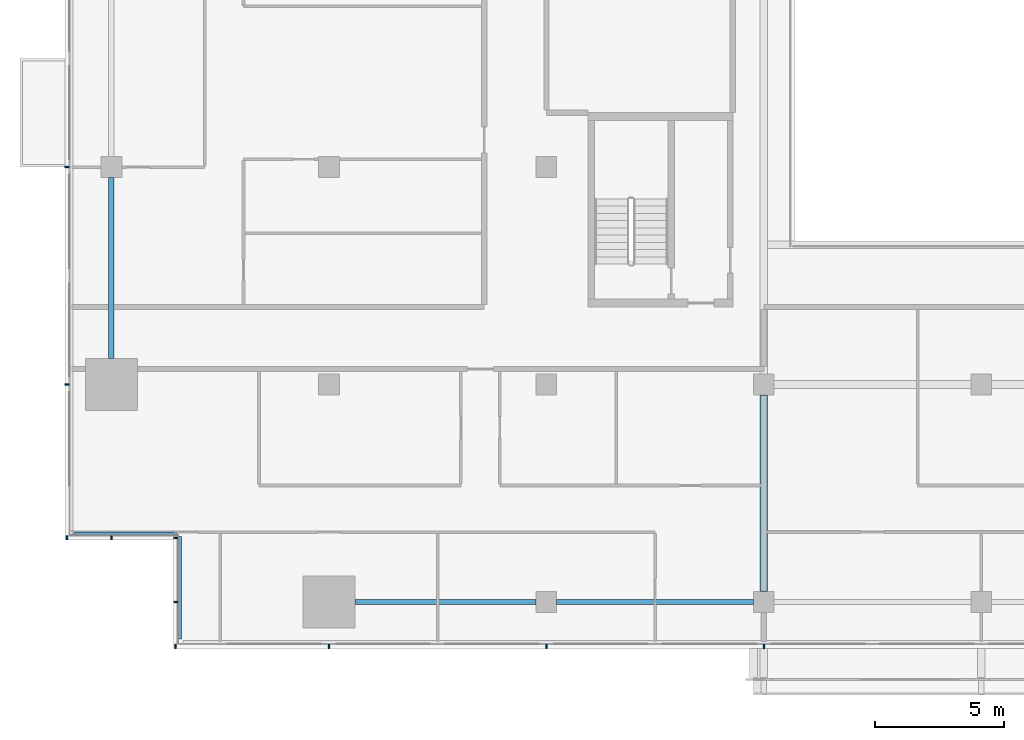
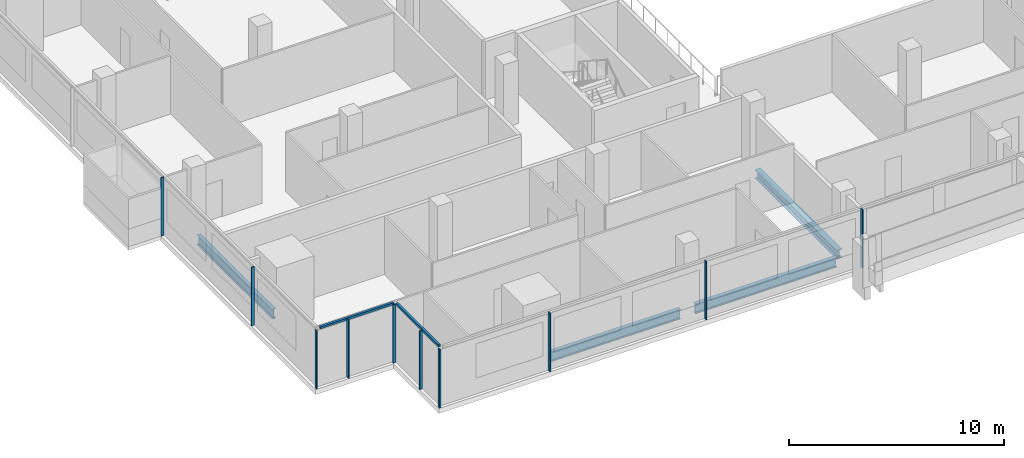
# One storey, part 2 of 26: 12 members, 4 beams, 4 elements without a shape of their own.
"""IFC4 building model written with IfcOpenShell, lengths in metres."""

from ifc_helpers import new_model, si_unit, direction, frame, origin, origin_2d, place, context, subcontext, project, spatial, rectangle, i_section, extrude, material, material_profile, profile_set, type_object, element, aggregate, save


model = new_model("IFC4")

# Units and contexts
model_context = context("Model", 3, precision=1e-05, world=origin(), true_north=direction((0.0, 1.0)))
body_context = subcontext(model_context, "Body", "Model", "MODEL_VIEW")
ifc_project = project(units=[si_unit("LENGTHUNIT", "METRE"), si_unit("AREAUNIT", "SQUARE_METRE"), si_unit("VOLUMEUNIT", "CUBIC_METRE"), si_unit("PLANEANGLEUNIT", "RADIAN"), si_unit("MASSUNIT", "GRAM", prefix="KILO")], contexts=[model_context])

# Site, building, storey
site_placement = place(None, origin())
site = spatial("IfcSite", under=ifc_project, at=site_placement, CompositionType="ELEMENT")
building_placement = place(site_placement, origin())
building = spatial("IfcBuilding", under=site, at=building_placement, Name="Saffron Gate Tower", CompositionType="ELEMENT")
storey_placement = place(building_placement, frame((0.0, 0.0, 120.449951171875)))
storey = spatial("IfcBuildingStorey", under=building, at=storey_placement, Name="L28", CompositionType="ELEMENT", Elevation=120.449951171875)

# Beams
ifc_material_1 = material(Name="Structural steel S355", Category="steel")
ifc_material_profile_1 = material_profile(ifc_material_1, i_section(OverallWidth=0.2099609375, OverallDepth=0.550048828125, WebThickness=0.010986328125, FlangeThickness=0.01708984375, FilletRadius=0.02392578125, at=origin_2d()))
ifc_profile_set_1 = profile_set([ifc_material_profile_1], Name="Structural steel S355")
beam_type_1 = type_object("IfcBeamType", Name="B13 IPE 550", PredefinedType="SPANDREL", material=ifc_profile_set_1)
for number, where, z_axis, x_axis, name in (
    (1, (49.800048828125, 41.199951171875, -0.554931640625), (0.0, 1.0, 0.0), (-1.0, 0.0, 0.0), "B13 SPANDREL BEAM"),
    (2, (59.199951171875, 31.800048828125, -0.554931640625), (1.0, 0.0, 0.0), (0.0, 1.0, 0.0), "B13 SPANDREL BEAM"),
):
    element("IfcBeam", number, at=place(storey_placement, frame(where, z_axis=z_axis, x_axis=x_axis)), inside=storey, type_object=beam_type_1, Name=name, PredefinedType="SPANDREL", context=body_context, shape_type="SweptSolid", body=[
        extrude(i_section(OverallWidth=0.2099609375, OverallDepth=0.550048828125, WebThickness=0.010986328125, FlangeThickness=0.01708984375, FilletRadius=0.02392578125, at=origin_2d()), origin(), (0.0, 0.0, 1.0), 7.0),
    ])
beam_1_placement = place(storey_placement, frame((67.0, 31.800048828125, -0.554931640625), z_axis=(1.0, 0.0, 0.0), x_axis=(0.0, 1.0, 0.0)))
element("IfcBeam", 3, at=beam_1_placement, inside=storey, type_object=beam_type_1, Name="B13 SPANDREL BEAM", PredefinedType="SPANDREL", context=body_context, shape_type="SweptSolid", body=[
    extrude(i_section(OverallWidth=0.2099609375, OverallDepth=0.550048828125, WebThickness=0.010986328125, FlangeThickness=0.01708984375, FilletRadius=0.02392578125, at=origin_2d()), origin(), (0.0, 0.0, 1.0), 7.60009765625),
])
ifc_material_profile_2 = material_profile(ifc_material_1, i_section(OverallWidth=0.300048828125, OverallDepth=0.489990234375, WebThickness=0.011962890625, FlangeThickness=0.02294921875, FilletRadius=0.027099609375, at=origin_2d()))
ifc_profile_set_2 = profile_set([ifc_material_profile_2], Name="Structural steel S355")
beam_type_2 = type_object("IfcBeamType", Name="B8 HEA 500", PredefinedType="BEAM", material=ifc_profile_set_2)
beam_2_placement = place(storey_placement, frame((75.0, 32.199951171875, -0.52490234375), z_axis=(0.0, 1.0, 0.0), x_axis=(-1.0, 0.0, 0.0)))
element("IfcBeam", 4, at=beam_2_placement, inside=storey, type_object=beam_type_2, Name="B8 FLOOR GIRDER", PredefinedType="BEAM", context=body_context, shape_type="SweptSolid", body=[
    extrude(i_section(OverallWidth=0.300048828125, OverallDepth=0.489990234375, WebThickness=0.011962890625, FlangeThickness=0.02294921875, FilletRadius=0.027099609375, at=origin_2d()), origin(), (0.0, 0.0, 1.0), 7.60009765625),
])

# Curtain wall, members
ifc_material_2 = material(Name="Aluminium, bronze anodised", Category="aluminium")
curtain_wall_type_1 = type_object("IfcCurtainWallType", Name="CWS1 curtain wall front facade", PredefinedType="NOTDEFINED", material=ifc_material_2)
curtain_wall_1_placement = place(storey_placement, origin())
curtain_wall_1 = element("IfcCurtainWall", 5, at=curtain_wall_1_placement, inside=storey, type_object=curtain_wall_type_1, Name="CWS1 run 1", PredefinedType="NOTDEFINED")
ifc_material_profile_3 = material_profile(ifc_material_2, rectangle(XDim=0.159912109375, YDim=0.06005859375, at=origin_2d()))
ifc_profile_set_3 = profile_set([ifc_material_profile_3], Name="Aluminium, bronze anodised")
member_type_1 = type_object("IfcMemberType", Name="CWS1 mullion 60x160", PredefinedType="MULLION", material=ifc_profile_set_3)
member_1_placement = place(storey_placement, frame((52.280029296875, 30.080078125, 0.0), z_axis=(0.0, 0.0, 1.0), x_axis=(0.0, 1.0, 0.0)))
member_1 = element("IfcMember", 6, at=member_1_placement, type_object=member_type_1, Name="CWS1 mullion 1", PredefinedType="MULLION", context=body_context, shape_type="SweptSolid", body=[
    extrude(rectangle(XDim=0.159912109375, YDim=0.06005859375, at=origin_2d()), origin(), (0.0, 0.0, 1.0), 3.320068359375),
])
member_2_placement = place(storey_placement, frame((58.199951171875, 30.080078125, 0.0), z_axis=(0.0, 0.0, 1.0), x_axis=(0.0, 1.0, 0.0)))
member_2 = element("IfcMember", 7, at=member_2_placement, type_object=member_type_1, Name="CWS1 mullion 2", PredefinedType="MULLION", context=body_context, shape_type="SweptSolid", body=[
    extrude(rectangle(XDim=0.159912109375, YDim=0.06005859375, at=origin_2d()), origin(), (0.0, 0.0, 1.0), 3.320068359375),
])
member_3_placement = place(storey_placement, frame((66.60009765625, 30.080078125, 0.0), z_axis=(0.0, 0.0, 1.0), x_axis=(0.0, 1.0, 0.0)))
member_3 = element("IfcMember", 8, at=member_3_placement, type_object=member_type_1, Name="CWS1 mullion 3", PredefinedType="MULLION", context=body_context, shape_type="SweptSolid", body=[
    extrude(rectangle(XDim=0.159912109375, YDim=0.06005859375, at=origin_2d()), origin(), (0.0, 0.0, 1.0), 3.320068359375),
])
member_4_placement = place(storey_placement, frame((75.0, 30.080078125, 0.0), z_axis=(0.0, 0.0, 1.0), x_axis=(0.0, 1.0, 0.0)))
member_4 = element("IfcMember", 9, at=member_4_placement, type_object=member_type_1, Name="CWS1 mullion 4", PredefinedType="MULLION", context=body_context, shape_type="SweptSolid", body=[
    extrude(rectangle(XDim=0.159912109375, YDim=0.06005859375, at=origin_2d()), origin(), (0.0, 0.0, 1.0), 3.320068359375),
])
aggregate(curtain_wall_1, [member_1, member_2, member_3, member_4])

curtain_wall_type_2 = type_object("IfcCurtainWallType", Name="CWS2 curtain wall side facades", PredefinedType="NOTDEFINED", material=ifc_material_2)
curtain_wall_2_placement = place(storey_placement, origin())
curtain_wall_2 = element("IfcCurtainWall", 10, at=curtain_wall_2_placement, inside=storey, type_object=curtain_wall_type_2, Name="CWS2 run 10", PredefinedType="NOTDEFINED")
ifc_material_profile_4 = material_profile(ifc_material_2, rectangle(XDim=0.159912109375, YDim=0.06005859375, at=origin_2d()))
ifc_profile_set_4 = profile_set([ifc_material_profile_4], Name="Aluminium, bronze anodised")
member_type_2 = type_object("IfcMemberType", Name="CWS2 mullion 60x160", PredefinedType="MULLION", material=ifc_profile_set_4)
member_5_placement = place(storey_placement, frame((48.080078125, 48.60009765625, 0.0), z_axis=(0.0, 0.0, 1.0), x_axis=(1.0, 0.0, 0.0)))
member_5 = element("IfcMember", 11, at=member_5_placement, type_object=member_type_2, Name="CWS2 mullion 4", PredefinedType="MULLION", context=body_context, shape_type="SweptSolid", body=[
    extrude(rectangle(XDim=0.159912109375, YDim=0.06005859375, at=origin_2d()), origin(), (0.0, 0.0, 1.0), 3.320068359375),
])
member_6_placement = place(storey_placement, frame((48.080078125, 40.199951171875, 0.0), z_axis=(0.0, 0.0, 1.0), x_axis=(1.0, 0.0, 0.0)))
member_6 = element("IfcMember", 12, at=member_6_placement, type_object=member_type_2, Name="CWS2 mullion 5", PredefinedType="MULLION", context=body_context, shape_type="SweptSolid", body=[
    extrude(rectangle(XDim=0.159912109375, YDim=0.06005859375, at=origin_2d()), origin(), (0.0, 0.0, 1.0), 3.320068359375),
])
aggregate(curtain_wall_2, [member_5, member_6])

# Curtain wall, member
curtain_wall_type_3 = type_object("IfcCurtainWallType", Name="CWS4 curtain wall corner returns", PredefinedType="NOTDEFINED", material=ifc_material_2)
curtain_wall_3_placement = place(storey_placement, origin())
curtain_wall_3 = element("IfcCurtainWall", 13, at=curtain_wall_3_placement, inside=storey, type_object=curtain_wall_type_3, Name="CWS4 run 11", PredefinedType="NOTDEFINED")
ifc_material_profile_5 = material_profile(ifc_material_2, rectangle(XDim=0.1201171875, YDim=0.1201171875, at=origin_2d()))
ifc_profile_set_5 = profile_set([ifc_material_profile_5], Name="Aluminium, bronze anodised")
member_type_3 = type_object("IfcMemberType", Name="CWS4 head transom", PredefinedType="USERDEFINED", material=ifc_profile_set_5)
member_7_placement = place(storey_placement, frame((48.367919921875, 34.447998046875, 3.260009765625), z_axis=(1.0, 0.0, 0.0), x_axis=(0.0, 1.0, 0.0)))
member_7 = element("IfcMember", 14, at=member_7_placement, type_object=member_type_3, Name="CWS4 head transom", ObjectType="TRANSOM", PredefinedType="USERDEFINED", context=body_context, shape_type="SweptSolid", body=[
    extrude(rectangle(XDim=0.1201171875, YDim=0.1201171875, at=origin_2d()), origin(), (0.0, 0.0, 1.0), 3.9599609375),
])

curtain_wall_4_placement = place(storey_placement, origin())
curtain_wall_4 = element("IfcCurtainWall", 15, at=curtain_wall_4_placement, inside=storey, type_object=curtain_wall_type_3, Name="CWS4 run 12", PredefinedType="NOTDEFINED")
member_8_placement = place(storey_placement, frame((52.447998046875, 34.327880859375, 3.260009765625), z_axis=(0.0, -1.0, 0.0), x_axis=(1.0, 0.0, 0.0)))
member_8 = element("IfcMember", 16, at=member_8_placement, type_object=member_type_3, Name="CWS4 head transom", ObjectType="TRANSOM", PredefinedType="USERDEFINED", context=body_context, shape_type="SweptSolid", body=[
    extrude(rectangle(XDim=0.1201171875, YDim=0.1201171875, at=origin_2d()), origin(), (0.0, 0.0, 1.0), 3.9599609375),
])

# Member
ifc_material_profile_6 = material_profile(ifc_material_2, rectangle(XDim=0.159912109375, YDim=0.06005859375, at=origin_2d()))
ifc_profile_set_6 = profile_set([ifc_material_profile_6], Name="Aluminium, bronze anodised")
member_type_4 = type_object("IfcMemberType", Name="CWS4 mullion 60x160", PredefinedType="MULLION", material=ifc_profile_set_6)
member_9_placement = place(storey_placement, frame((48.080078125, 34.280029296875, 0.0), z_axis=(0.0, 0.0, 1.0), x_axis=(0.0, 1.0, 0.0)))
member_9 = element("IfcMember", 17, at=member_9_placement, type_object=member_type_4, Name="CWS4 mullion 1", PredefinedType="MULLION", context=body_context, shape_type="SweptSolid", body=[
    extrude(rectangle(XDim=0.159912109375, YDim=0.06005859375, at=origin_2d()), origin(), (0.0, 0.0, 1.0), 3.320068359375),
])

member_10_placement = place(storey_placement, frame((49.800048828125, 34.280029296875, 0.0), z_axis=(0.0, 0.0, 1.0), x_axis=(0.0, 1.0, 0.0)))
member_10 = element("IfcMember", 18, at=member_10_placement, type_object=member_type_4, Name="CWS4 mullion 2", PredefinedType="MULLION", context=body_context, shape_type="SweptSolid", body=[
    extrude(rectangle(XDim=0.159912109375, YDim=0.06005859375, at=origin_2d()), origin(), (0.0, 0.0, 1.0), 3.320068359375),
])

aggregate(curtain_wall_3, [member_9, member_10, member_7])

member_11_placement = place(storey_placement, frame((52.280029296875, 34.280029296875, 0.0), z_axis=(0.0, 0.0, 1.0), x_axis=(1.0, 0.0, 0.0)))
member_11 = element("IfcMember", 19, at=member_11_placement, type_object=member_type_4, Name="CWS4 mullion 1", PredefinedType="MULLION", context=body_context, shape_type="SweptSolid", body=[
    extrude(rectangle(XDim=0.159912109375, YDim=0.06005859375, at=origin_2d()), origin(), (0.0, 0.0, 1.0), 3.320068359375),
])

member_12_placement = place(storey_placement, frame((52.280029296875, 31.800048828125, 0.0), z_axis=(0.0, 0.0, 1.0), x_axis=(1.0, 0.0, 0.0)))
member_12 = element("IfcMember", 20, at=member_12_placement, type_object=member_type_4, Name="CWS4 mullion 2", PredefinedType="MULLION", context=body_context, shape_type="SweptSolid", body=[
    extrude(rectangle(XDim=0.159912109375, YDim=0.06005859375, at=origin_2d()), origin(), (0.0, 0.0, 1.0), 3.320068359375),
])

aggregate(curtain_wall_4, [member_11, member_12, member_8])

save(model, "model.ifc")
